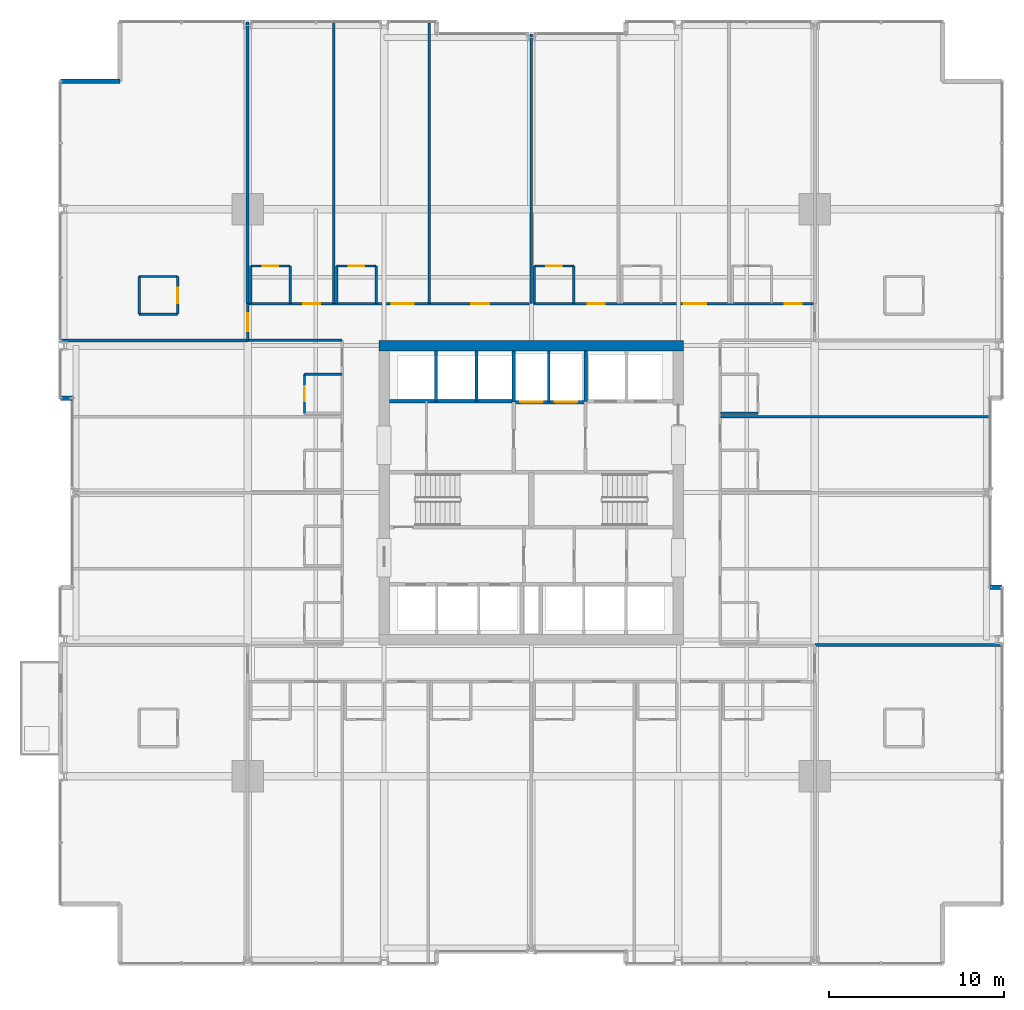
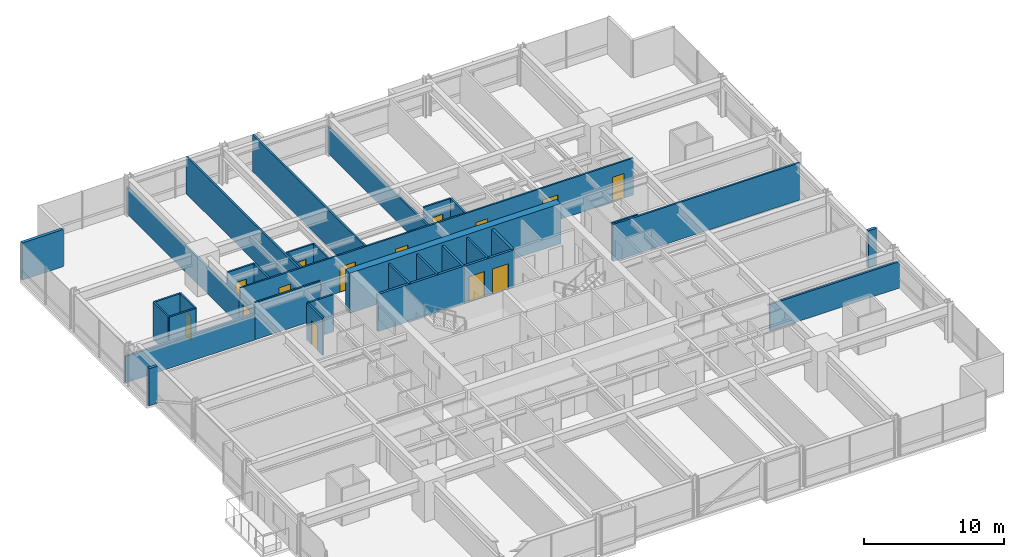
# One storey, part 33 of 39: 37 walls, 14 doors, 14 openings.
"""IFC4 building model written with IfcOpenShell, lengths in metres."""

from ifc_helpers import new_model, si_unit, direction, frame, frame_2d, origin, place, context, subcontext, project, spatial, rectangle, extrude, material, layer, layer_set, type_object, element, fill, save


model = new_model("IFC4")

# Units and contexts
model_context = context("Model", 3, precision=1e-05, world=origin(), true_north=direction((0.0, 1.0)))
body_context = subcontext(model_context, "Body", "Model", "MODEL_VIEW")
ifc_project = project(units=[si_unit("LENGTHUNIT", "METRE"), si_unit("AREAUNIT", "SQUARE_METRE"), si_unit("VOLUMEUNIT", "CUBIC_METRE"), si_unit("PLANEANGLEUNIT", "RADIAN"), si_unit("MASSUNIT", "GRAM", prefix="KILO")], contexts=[model_context])

# Site, building, storey
site_placement = place(None, origin())
site = spatial("IfcSite", under=ifc_project, at=site_placement, CompositionType="ELEMENT")
building_placement = place(site_placement, origin())
building = spatial("IfcBuilding", under=site, at=building_placement, Name="Drelvath Grand Hotel", CompositionType="ELEMENT")
storey_placement = place(building_placement, frame((0.0, 0.0, 36.699951171875)))
storey = spatial("IfcBuildingStorey", under=building, at=storey_placement, Name="L07", CompositionType="ELEMENT", Elevation=36.699951171875)

# Wall
ifc_material_1 = material(Name="Concrete C40/50", Category="concrete")
ifc_layer_1 = layer(ifc_material_1, 0.199951171875)
ifc_layer_set_1 = layer_set([ifc_layer_1], Name="Concrete C40/50")
wall_type_1 = type_object("IfcWallType", Name="Core Hoistway Fire Wall 200", PredefinedType="SOLIDWALL", material=ifc_layer_set_1)
wall_1_placement = place(storey_placement, frame((3.10009765625, 32.219970703125, 0.0), z_axis=(0.0, 0.0, 1.0), x_axis=(0.0, 1.0, 0.0)))
element("IfcWall", 1, at=wall_1_placement, inside=storey, type_object=wall_type_1, Name="L07 FSAE Hoistway West Wall", PredefinedType="SOLIDWALL", context=body_context, shape_type="SweptSolid", body=[
    extrude(rectangle(XDim=2.880126953125, YDim=0.199951171875, at=frame_2d((1.43994140625, 0.0))), origin(), (0.0, 0.0, 1.0), 3.239990234375),
])

# Wall, openings, doors
wall_2_placement = place(storey_placement, frame((-1.0, 32.179931640625, 0.0), z_axis=(0.0, 0.0, 1.0), x_axis=(1.0, 0.0, 0.0)))
wall_2 = element("IfcWall", 2, at=wall_2_placement, inside=storey, type_object=wall_type_1, Name="L07 Service Lift Hoistway Wall", PredefinedType="SOLIDWALL", context=body_context, shape_type="SweptSolid", body=[
    extrude(rectangle(XDim=4.10009765625, YDim=0.199951171875, at=frame_2d((2.050048828125, 0.0))), origin(), (0.0, 0.0, 1.0), 3.239990234375),
])
opening_1_placement = place(wall_2_placement, frame((0.3701171875, 0.0, 0.0)))
opening_1 = element("IfcOpeningElement", 3, at=opening_1_placement, cuts=wall_2, Name="Opening LD-SV-2", PredefinedType="OPENING", context=body_context, shape_type="SweptSolid", body=[
    extrude(rectangle(XDim=1.300048828125, YDim=2.199951171875, at=frame_2d((0.64990234375, 1.10009765625))), frame((0.0, 0.10986328125, 0.0), z_axis=(0.0, -1.0, 0.0), x_axis=(1.0, 0.0, 0.0)), (0.0, 0.0, 1.0), 0.219970703125),
])
opening_2_placement = place(wall_2_placement, frame((2.330078125, 0.0, 0.0)))
opening_2 = element("IfcOpeningElement", 4, at=opening_2_placement, cuts=wall_2, Name="Opening LD-SV-1", PredefinedType="OPENING", context=body_context, shape_type="SweptSolid", body=[
    extrude(rectangle(XDim=1.300048828125, YDim=2.199951171875, at=frame_2d((0.64990234375, 1.10009765625))), frame((0.0, 0.10986328125, 0.0), z_axis=(0.0, -1.0, 0.0), x_axis=(1.0, 0.0, 0.0)), (0.0, 0.0, 1.0), 0.219970703125),
])
ifc_material_2 = material(Name="Stainless Steel S355", Category="steel")
door_type_1 = type_object("IfcDoorType", Name="Service Lift Sliding Landing Door 1300x2200", OperationType="NOTDEFINED", PredefinedType="DOOR", material=ifc_material_2)
door_1_placement = place(opening_1_placement, origin())
door_1 = element("IfcDoor", 5, at=door_1_placement, inside=storey, type_object=door_type_1, Name="L07 Lift SV-2 Landing Door", OperationType="SLIDING_TO_LEFT", OverallHeight=2.199951171875, OverallWidth=1.300048828125, PredefinedType="DOOR", context=body_context, shape_type="SweptSolid", body=[
    extrude(rectangle(XDim=1.300048828125, YDim=2.199951171875, at=frame_2d((0.64990234375, 1.10009765625))), frame((0.0, 0.02490234375, 0.0), z_axis=(0.0, -1.0, 0.0), x_axis=(1.0, 0.0, 0.0)), (0.0, 0.0, 1.0), 0.050048828125),
])
fill(opening_1, door_1)
door_2_placement = place(opening_2_placement, origin())
door_2 = element("IfcDoor", 6, at=door_2_placement, inside=storey, type_object=door_type_1, Name="L07 Lift SV-1 Landing Door", OperationType="SLIDING_TO_LEFT", OverallHeight=2.199951171875, OverallWidth=1.300048828125, PredefinedType="DOOR", context=body_context, shape_type="SweptSolid", body=[
    extrude(rectangle(XDim=1.300048828125, YDim=2.199951171875, at=frame_2d((0.64990234375, 1.10009765625))), frame((0.0, 0.02490234375, 0.0), z_axis=(0.0, -1.0, 0.0), x_axis=(1.0, 0.0, 0.0)), (0.0, 0.0, 1.0), 0.050048828125),
])
fill(opening_2, door_2)

# Walls
wall_3_placement = place(storey_placement, frame((-1.0, 32.179931640625, 0.0), z_axis=(0.0, 0.0, 1.0), x_axis=(0.0, 1.0, 0.0)))
element("IfcWall", 7, at=wall_3_placement, inside=storey, type_object=wall_type_1, Name="L07 Service Lift West Wall", PredefinedType="SOLIDWALL", context=body_context, shape_type="SweptSolid", body=[
    extrude(rectangle(XDim=2.920166015625, YDim=0.199951171875, at=frame_2d((1.4599609375, 0.0))), origin(), (0.0, 0.0, 1.0), 3.239990234375),
])
wall_4_placement = place(storey_placement, frame((-8.10009765625, 32.219970703125, 0.0), z_axis=(0.0, 0.0, 1.0), x_axis=(1.0, 0.0, 0.0)))
element("IfcWall", 8, at=wall_4_placement, inside=storey, type_object=wall_type_1, Name="L07 Bank 3 Hoistway Wall", PredefinedType="SOLIDWALL", context=body_context, shape_type="SweptSolid", body=[
    extrude(rectangle(XDim=7.10009765625, YDim=0.199951171875, at=frame_2d((3.550048828125, 0.0))), origin(), (0.0, 0.0, 1.0), 3.239990234375),
])
ifc_material_3 = material(Name="Gypsum Fireboard Partition")
ifc_layer_2 = layer(ifc_material_3, 0.1650390625)
ifc_layer_set_2 = layer_set([ifc_layer_2], Name="Gypsum Fireboard Partition")
wall_type_2 = type_object("IfcWallType", Name="Core Shaft Partition 165", PredefinedType="PARTITIONING", material=ifc_layer_set_2)
wall_5_placement = place(storey_placement, frame((1.0, 32.179931640625, 0.0), z_axis=(0.0, 0.0, 1.0), x_axis=(0.0, 1.0, 0.0)))
element("IfcWall", 9, at=wall_5_placement, inside=storey, type_object=wall_type_2, Name="L07 Service Lift Divider", PredefinedType="PARTITIONING", context=body_context, shape_type="SweptSolid", body=[
    extrude(rectangle(XDim=2.920166015625, YDim=0.1650390625, at=frame_2d((1.4599609375, 0.0))), origin(), (0.0, 0.0, 1.0), 3.239990234375),
])
for number, where, z_axis, x_axis, name in (
    (10, (-5.43994140625, 32.219970703125, 0.0), (0.0, 0.0, 1.0), (0.0, 1.0, 0.0), "L07 Lift PE-7/8 Divider"),
    (11, (-3.1201171875, 32.219970703125, 0.0), (0.0, 0.0, 1.0), (0.0, 1.0, 0.0), "L07 Lift PE-8/9 Divider"),
):
    element("IfcWall", number, at=place(storey_placement, frame(where, z_axis=z_axis, x_axis=x_axis)), inside=storey, type_object=wall_type_2, Name=name, PredefinedType="PARTITIONING", context=body_context, shape_type="SweptSolid", body=[
        extrude(rectangle(XDim=2.880126953125, YDim=0.1650390625, at=frame_2d((1.43994140625, 0.0))), origin(), (0.0, 0.0, 1.0), 3.239990234375),
    ])

# Wall, openings, doors
ifc_layer_3 = layer(ifc_material_3, 0.135009765625)
ifc_layer_set_3 = layer_set([ifc_layer_3], Name="Gypsum Fireboard Partition")
wall_type_3 = type_object("IfcWallType", Name="Corridor Fire Barrier Wall 135", PredefinedType="PARTITIONING", material=ifc_layer_set_3)
wall_6_placement = place(storey_placement, frame((-16.199951171875, 37.800048828125, 0.0), z_axis=(0.0, 0.0, 1.0), x_axis=(1.0, 0.0, 0.0)))
wall_6 = element("IfcWall", 12, at=wall_6_placement, inside=storey, type_object=wall_type_3, Name="L07 North Corridor Wall", PredefinedType="PARTITIONING", context=body_context, shape_type="SweptSolid", body=[
    extrude(rectangle(XDim=32.39990234375, YDim=0.135009765625, at=frame_2d((16.199951171875, 0.0))), origin(), (0.0, 0.0, 1.0), 3.239990234375),
])
opening_3_placement = place(wall_6_placement, frame((3.189453125, 0.0, 0.0)))
opening_3 = element("IfcOpeningElement", 13, at=opening_3_placement, cuts=wall_6, Name="Opening D-T1G1-039", PredefinedType="OPENING", context=body_context, shape_type="SweptSolid", body=[
    extrude(rectangle(XDim=0.9599609375, YDim=2.14990234375, at=frame_2d((0.47998046875, 1.074951171875))), frame((0.0, 0.077392578125, 0.0), z_axis=(0.0, -1.0, 0.0), x_axis=(1.0, 0.0, 0.0)), (0.0, 0.0, 1.0), 0.155029296875),
])
opening_4_placement = place(wall_6_placement, frame((8.2294921875, 0.0, 0.0)))
opening_4 = element("IfcOpeningElement", 14, at=opening_4_placement, cuts=wall_6, Name="Opening D-T1G1-041", PredefinedType="OPENING", context=body_context, shape_type="SweptSolid", body=[
    extrude(rectangle(XDim=1.260009765625, YDim=2.199951171875, at=frame_2d((0.6298828125, 1.10009765625))), frame((0.0, 0.077392578125, 0.0), z_axis=(0.0, -1.0, 0.0), x_axis=(1.0, 0.0, 0.0)), (0.0, 0.0, 1.0), 0.155029296875),
])
opening_5_placement = place(wall_6_placement, frame((12.780029296875, 0.0, 0.0)))
opening_5 = element("IfcOpeningElement", 15, at=opening_5_placement, cuts=wall_6, Name="Opening D-T1G1-042", PredefinedType="OPENING", context=body_context, shape_type="SweptSolid", body=[
    extrude(rectangle(XDim=1.02001953125, YDim=2.14990234375, at=frame_2d((0.510009765625, 1.074951171875))), frame((0.0, 0.077392578125, 0.0), z_axis=(0.0, -1.0, 0.0), x_axis=(1.0, 0.0, 0.0)), (0.0, 0.0, 1.0), 0.155029296875),
])
opening_6_placement = place(wall_6_placement, frame((19.425048828125, 0.0, 0.0)))
opening_6 = element("IfcOpeningElement", 16, at=opening_6_placement, cuts=wall_6, Name="Opening D-T1G1-044", PredefinedType="OPENING", context=body_context, shape_type="SweptSolid", body=[
    extrude(rectangle(XDim=0.9599609375, YDim=2.14990234375, at=frame_2d((0.47998046875, 1.074951171875))), frame((0.0, 0.077392578125, 0.0), z_axis=(0.0, -1.0, 0.0), x_axis=(1.0, 0.0, 0.0)), (0.0, 0.0, 1.0), 0.155029296875),
])
opening_7_placement = place(wall_6_placement, frame((24.92041015625, 0.0, 0.0)))
opening_7 = element("IfcOpeningElement", 17, at=opening_7_placement, cuts=wall_6, Name="Opening D-T1G1-046", PredefinedType="OPENING", context=body_context, shape_type="SweptSolid", body=[
    extrude(rectangle(XDim=1.260009765625, YDim=2.199951171875, at=frame_2d((0.6298828125, 1.10009765625))), frame((0.0, 0.077392578125, 0.0), z_axis=(0.0, -1.0, 0.0), x_axis=(1.0, 0.0, 0.0)), (0.0, 0.0, 1.0), 0.155029296875),
])
opening_8_placement = place(wall_6_placement, frame((30.680419921875, 0.0, 0.0)))
opening_8 = element("IfcOpeningElement", 18, at=opening_8_placement, cuts=wall_6, Name="Opening D-T1G1-048", PredefinedType="OPENING", context=body_context, shape_type="SweptSolid", body=[
    extrude(rectangle(XDim=0.9599609375, YDim=2.14990234375, at=frame_2d((0.47998046875, 1.074951171875))), frame((0.0, 0.077392578125, 0.0), z_axis=(0.0, -1.0, 0.0), x_axis=(1.0, 0.0, 0.0)), (0.0, 0.0, 1.0), 0.155029296875),
])
ifc_material_4 = material(Name="Hardwood Walnut Timber", Category="wood")
door_type_2 = type_object("IfcDoorType", Name="Amenity Meeting Fire Door 1020x2150", OperationType="NOTDEFINED", PredefinedType="DOOR", material=ifc_material_4)
door_3_placement = place(opening_5_placement, origin())
door_3 = element("IfcDoor", 19, at=door_3_placement, inside=storey, type_object=door_type_2, Name="L07 Executive Conference Room Entry Door", OperationType="SINGLE_SWING_LEFT", OverallHeight=2.14990234375, OverallWidth=1.02001953125, PredefinedType="DOOR", context=body_context, shape_type="SweptSolid", body=[
    extrude(rectangle(XDim=1.02001953125, YDim=2.14990234375, at=frame_2d((0.510009765625, 1.074951171875))), frame((0.0, 0.02490234375, 0.0), z_axis=(0.0, -1.0, 0.0), x_axis=(1.0, 0.0, 0.0)), (0.0, 0.0, 1.0), 0.050048828125),
])
fill(opening_5, door_3)
door_type_3 = type_object("IfcDoorType", Name="Guestroom Entrance Fire Door 960x2150", OperationType="NOTDEFINED", PredefinedType="DOOR", material=ifc_material_4)
door_4_placement = place(opening_3_placement, origin())
door_4 = element("IfcDoor", 20, at=door_4_placement, inside=storey, type_object=door_type_3, Name="L07 King Guest Room Entry Door", OperationType="SINGLE_SWING_RIGHT", OverallHeight=2.14990234375, OverallWidth=0.9599609375, PredefinedType="DOOR", context=body_context, shape_type="SweptSolid", body=[
    extrude(rectangle(XDim=0.9599609375, YDim=2.14990234375, at=frame_2d((0.47998046875, 1.074951171875))), frame((0.0, 0.02490234375, 0.0), z_axis=(0.0, -1.0, 0.0), x_axis=(1.0, 0.0, 0.0)), (0.0, 0.0, 1.0), 0.050048828125),
])
fill(opening_3, door_4)
door_5_placement = place(opening_6_placement, origin())
door_5 = element("IfcDoor", 21, at=door_5_placement, inside=storey, type_object=door_type_3, Name="L07 King Guest Room Entry Door", OperationType="SINGLE_SWING_LEFT", OverallHeight=2.14990234375, OverallWidth=0.9599609375, PredefinedType="DOOR", context=body_context, shape_type="SweptSolid", body=[
    extrude(rectangle(XDim=0.9599609375, YDim=2.14990234375, at=frame_2d((0.47998046875, 1.074951171875))), frame((0.0, 0.02490234375, 0.0), z_axis=(0.0, -1.0, 0.0), x_axis=(1.0, 0.0, 0.0)), (0.0, 0.0, 1.0), 0.050048828125),
])
fill(opening_6, door_5)
door_6_placement = place(opening_8_placement, origin())
door_6 = element("IfcDoor", 22, at=door_6_placement, inside=storey, type_object=door_type_3, Name="L07 King Guest Room Entry Door", OperationType="SINGLE_SWING_LEFT", OverallHeight=2.14990234375, OverallWidth=0.9599609375, PredefinedType="DOOR", context=body_context, shape_type="SweptSolid", body=[
    extrude(rectangle(XDim=0.9599609375, YDim=2.14990234375, at=frame_2d((0.47998046875, 1.074951171875))), frame((0.0, 0.02490234375, 0.0), z_axis=(0.0, -1.0, 0.0), x_axis=(1.0, 0.0, 0.0)), (0.0, 0.0, 1.0), 0.050048828125),
])
fill(opening_8, door_6)
door_type_4 = type_object("IfcDoorType", Name="Suite Entrance Fire Door 1260x2200", OperationType="NOTDEFINED", PredefinedType="DOOR", material=ifc_material_4)
door_7_placement = place(opening_4_placement, origin())
door_7 = element("IfcDoor", 23, at=door_7_placement, inside=storey, type_object=door_type_4, Name="L07 Corner Suite Entry Door", OperationType="SINGLE_SWING_RIGHT", OverallHeight=2.199951171875, OverallWidth=1.260009765625, PredefinedType="DOOR", context=body_context, shape_type="SweptSolid", body=[
    extrude(rectangle(XDim=1.260009765625, YDim=2.199951171875, at=frame_2d((0.6298828125, 1.10009765625))), frame((0.0, 0.02490234375, 0.0), z_axis=(0.0, -1.0, 0.0), x_axis=(1.0, 0.0, 0.0)), (0.0, 0.0, 1.0), 0.050048828125),
])
fill(opening_4, door_7)
door_8_placement = place(opening_7_placement, origin())
door_8 = element("IfcDoor", 24, at=door_8_placement, inside=storey, type_object=door_type_4, Name="L07 Corner Suite Entry Door", OperationType="SINGLE_SWING_LEFT", OverallHeight=2.199951171875, OverallWidth=1.260009765625, PredefinedType="DOOR", context=body_context, shape_type="SweptSolid", body=[
    extrude(rectangle(XDim=1.260009765625, YDim=2.199951171875, at=frame_2d((0.6298828125, 1.10009765625))), frame((0.0, 0.02490234375, 0.0), z_axis=(0.0, -1.0, 0.0), x_axis=(1.0, 0.0, 0.0)), (0.0, 0.0, 1.0), 0.050048828125),
])
fill(opening_7, door_8)

# Wall
wall_7_placement = place(storey_placement, frame((-16.199951171875, 35.699951171875, 0.0), z_axis=(0.0, 0.0, 1.0), x_axis=(1.0, 0.0, 0.0)))
element("IfcWall", 25, at=wall_7_placement, inside=storey, type_object=wall_type_3, Name="L07 NW Spur Inner Wall", PredefinedType="PARTITIONING", context=body_context, shape_type="SweptSolid", body=[
    extrude(rectangle(XDim=5.39990234375, YDim=0.135009765625, at=frame_2d((2.699951171875, 0.0))), origin(), (0.0, 0.0, 1.0), 3.239990234375),
])

# Wall, opening, door
wall_8_placement = place(storey_placement, frame((-16.199951171875, 35.699951171875, 0.0), z_axis=(0.0, 0.0, 1.0), x_axis=(0.0, 1.0, 0.0)))
wall_8 = element("IfcWall", 26, at=wall_8_placement, inside=storey, type_object=wall_type_3, Name="L07 North Corridor West End", PredefinedType="PARTITIONING", context=body_context, shape_type="SweptSolid", body=[
    extrude(rectangle(XDim=2.10009765625, YDim=0.135009765625, at=frame_2d((1.050048828125, 0.0))), origin(), (0.0, 0.0, 1.0), 2.29833984375),
])
opening_9_placement = place(wall_8_placement, frame((0.52001953125, 0.0, 0.0)))
opening_9 = element("IfcOpeningElement", 27, at=opening_9_placement, cuts=wall_8, Name="Opening D-T1G1-023", PredefinedType="OPENING", context=body_context, shape_type="SweptSolid", body=[
    extrude(rectangle(XDim=1.02001953125, YDim=2.14990234375, at=frame_2d((0.510009765625, 1.074951171875))), frame((0.0, 0.077392578125, 0.0), z_axis=(0.0, -1.0, 0.0), x_axis=(1.0, 0.0, 0.0)), (0.0, 0.0, 1.0), 0.155029296875),
])
door_9_placement = place(opening_9_placement, origin())
door_9 = element("IfcDoor", 28, at=door_9_placement, inside=storey, type_object=door_type_2, Name="L07 Corner Suite Entry Door", OperationType="SINGLE_SWING_RIGHT", OverallHeight=2.14990234375, OverallWidth=1.02001953125, PredefinedType="DOOR", context=body_context, shape_type="SweptSolid", body=[
    extrude(rectangle(XDim=1.02001953125, YDim=2.14990234375, at=frame_2d((0.510009765625, 1.074951171875))), frame((0.0, 0.02490234375, 0.0), z_axis=(0.0, -1.0, 0.0), x_axis=(1.0, 0.0, 0.0)), (0.0, 0.0, 1.0), 0.050048828125),
])
fill(opening_9, door_9)

# Walls
ifc_material_5 = material(Name="Moisture-Resistant Gypsum Board")
ifc_layer_4 = layer(ifc_material_5, 0.139892578125)
ifc_layer_set_4 = layer_set([ifc_layer_4], Name="Moisture-Resistant Gypsum Board")
wall_type_4 = type_object("IfcWallType", Name="En-Suite Plumbing Wall 140", PredefinedType="PLUMBINGWALL", material=ifc_layer_set_4)
for number, where, z_axis, x_axis, name in (
    (29, (-22.39990234375, 37.199951171875, 0.0), (0.0, 0.0, 1.0), (1.0, 0.0, 0.0), "L07 Corner En-Suite South"),
    (30, (-22.39990234375, 39.35009765625, 0.0), (0.0, 0.0, 1.0), (1.0, 0.0, 0.0), "L07 Corner En-Suite North"),
):
    element("IfcWall", number, at=place(storey_placement, frame(where, z_axis=z_axis, x_axis=x_axis)), inside=storey, type_object=wall_type_4, Name=name, PredefinedType="PLUMBINGWALL", context=body_context, shape_type="SweptSolid", body=[
        extrude(rectangle(XDim=2.199951171875, YDim=0.139892578125, at=frame_2d((1.10009765625, 0.0))), origin(), (0.0, 0.0, 1.0), 3.239990234375),
    ])
wall_9_placement = place(storey_placement, frame((-22.39990234375, 37.199951171875, 0.0), z_axis=(0.0, 0.0, 1.0), x_axis=(0.0, 1.0, 0.0)))
element("IfcWall", 31, at=wall_9_placement, inside=storey, type_object=wall_type_4, Name="L07 Corner En-Suite West", PredefinedType="PLUMBINGWALL", context=body_context, shape_type="SweptSolid", body=[
    extrude(rectangle(XDim=2.150146484375, YDim=0.139892578125, at=frame_2d((1.0751953125, 0.0))), origin(), (0.0, 0.0, 1.0), 3.239990234375),
])

# Wall, opening, door
wall_10_placement = place(storey_placement, frame((-20.199951171875, 37.199951171875, 0.0), z_axis=(0.0, 0.0, 1.0), x_axis=(0.0, 1.0, 0.0)))
wall_10 = element("IfcWall", 32, at=wall_10_placement, inside=storey, type_object=wall_type_4, Name="L07 Corner En-Suite East", PredefinedType="PLUMBINGWALL", context=body_context, shape_type="SweptSolid", body=[
    extrude(rectangle(XDim=2.150146484375, YDim=0.139892578125, at=frame_2d((1.0751953125, 0.0))), origin(), (0.0, 0.0, 1.0), 3.239990234375),
])
opening_10_placement = place(wall_10_placement, frame((0.6201171875, 0.0, 0.0)))
opening_10 = element("IfcOpeningElement", 33, at=opening_10_placement, cuts=wall_10, Name="Opening D-T1G1-022", PredefinedType="OPENING", context=body_context, shape_type="SweptSolid", body=[
    extrude(rectangle(XDim=0.8798828125, YDim=2.10009765625, at=frame_2d((0.43994140625, 1.050048828125))), frame((0.0, 0.079833984375, 0.0), z_axis=(0.0, -1.0, 0.0), x_axis=(1.0, 0.0, 0.0)), (0.0, 0.0, 1.0), 0.159912109375),
])
door_type_5 = type_object("IfcDoorType", Name="En-Suite Bathroom Door 880x2100", OperationType="NOTDEFINED", PredefinedType="DOOR", material=ifc_material_4)
door_10_placement = place(opening_10_placement, origin())
door_10 = element("IfcDoor", 34, at=door_10_placement, inside=storey, type_object=door_type_5, Name="L07 Corner En-Suite Door", OperationType="SINGLE_SWING_LEFT", OverallHeight=2.10009765625, OverallWidth=0.8798828125, PredefinedType="DOOR", context=body_context, shape_type="SweptSolid", body=[
    extrude(rectangle(XDim=0.8798828125, YDim=2.10009765625, at=frame_2d((0.43994140625, 1.050048828125))), frame((0.0, 0.02490234375, 0.0), z_axis=(0.0, -1.0, 0.0), x_axis=(1.0, 0.0, 0.0)), (0.0, 0.0, 1.0), 0.050048828125),
])
fill(opening_10, door_10)

# Walls
wall_11_placement = place(storey_placement, frame((-16.02001953125, 37.800048828125, 0.0), z_axis=(0.0, 0.0, 1.0), x_axis=(0.0, 1.0, 0.0)))
element("IfcWall", 35, at=wall_11_placement, inside=storey, type_object=wall_type_4, Name="L07 En-Suite Left Wall", PredefinedType="PLUMBINGWALL", context=body_context, shape_type="SweptSolid", body=[
    extrude(rectangle(XDim=2.14990234375, YDim=0.139892578125, at=frame_2d((1.074951171875, 0.0))), origin(), (0.0, 0.0, 1.0), 2.29833984375),
])
wall_12_placement = place(storey_placement, frame((-13.77001953125, 37.800048828125, 0.0), z_axis=(0.0, 0.0, 1.0), x_axis=(0.0, 1.0, 0.0)))
element("IfcWall", 36, at=wall_12_placement, inside=storey, type_object=wall_type_4, Name="L07 En-Suite Right Wall", PredefinedType="PLUMBINGWALL", context=body_context, shape_type="SweptSolid", body=[
    extrude(rectangle(XDim=2.14990234375, YDim=0.139892578125, at=frame_2d((1.074951171875, 0.0))), origin(), (0.0, 0.0, 1.0), 3.239990234375),
])

# Wall, opening, door
wall_13_placement = place(storey_placement, frame((-16.02001953125, 39.949951171875, 0.0), z_axis=(0.0, 0.0, 1.0), x_axis=(1.0, 0.0, 0.0)))
wall_13 = element("IfcWall", 37, at=wall_13_placement, inside=storey, type_object=wall_type_4, Name="L07 En-Suite Front Wall", PredefinedType="PLUMBINGWALL", context=body_context, shape_type="SweptSolid", body=[
    extrude(rectangle(XDim=2.25, YDim=0.139892578125, at=frame_2d((1.125, 0.0))), origin(), (0.0, 0.0, 1.0), 3.239990234375),
])
opening_11_placement = place(wall_13_placement, frame((0.68505859375, 0.0, 0.0)))
opening_11 = element("IfcOpeningElement", 38, at=opening_11_placement, cuts=wall_13, Name="Opening D-T1G1-038", PredefinedType="OPENING", context=body_context, shape_type="SweptSolid", body=[
    extrude(rectangle(XDim=0.8798828125, YDim=2.10009765625, at=frame_2d((0.43994140625, 1.050048828125))), frame((0.0, 0.079833984375, 0.0), z_axis=(0.0, -1.0, 0.0), x_axis=(1.0, 0.0, 0.0)), (0.0, 0.0, 1.0), 0.159912109375),
])
door_11_placement = place(opening_11_placement, origin())
door_11 = element("IfcDoor", 39, at=door_11_placement, inside=storey, type_object=door_type_5, Name="L07 En-Suite Bathroom Door", OperationType="SINGLE_SWING_LEFT", OverallHeight=2.10009765625, OverallWidth=0.8798828125, PredefinedType="DOOR", context=body_context, shape_type="SweptSolid", body=[
    extrude(rectangle(XDim=0.8798828125, YDim=2.10009765625, at=frame_2d((0.43994140625, 1.050048828125))), frame((0.0, 0.02490234375, 0.0), z_axis=(0.0, -1.0, 0.0), x_axis=(1.0, 0.0, 0.0)), (0.0, 0.0, 1.0), 0.050048828125),
])
fill(opening_11, door_11)

# Walls
for number, where, z_axis, x_axis, name in (
    (40, (-11.11083984375, 37.800048828125, 0.0), (0.0, 0.0, 1.0), (0.0, 1.0, 0.0), "L07 En-Suite Left Wall"),
    (41, (-8.86083984375, 37.800048828125, 0.0), (0.0, 0.0, 1.0), (0.0, 1.0, 0.0), "L07 En-Suite Right Wall"),
):
    element("IfcWall", number, at=place(storey_placement, frame(where, z_axis=z_axis, x_axis=x_axis)), inside=storey, type_object=wall_type_4, Name=name, PredefinedType="PLUMBINGWALL", context=body_context, shape_type="SweptSolid", body=[
        extrude(rectangle(XDim=2.14990234375, YDim=0.139892578125, at=frame_2d((1.074951171875, 0.0))), origin(), (0.0, 0.0, 1.0), 3.239990234375),
    ])

# Wall, opening, door
wall_14_placement = place(storey_placement, frame((-11.11083984375, 39.949951171875, 0.0), z_axis=(0.0, 0.0, 1.0), x_axis=(1.0, 0.0, 0.0)))
wall_14 = element("IfcWall", 42, at=wall_14_placement, inside=storey, type_object=wall_type_4, Name="L07 En-Suite Front Wall", PredefinedType="PLUMBINGWALL", context=body_context, shape_type="SweptSolid", body=[
    extrude(rectangle(XDim=2.25, YDim=0.139892578125, at=frame_2d((1.125, 0.0))), origin(), (0.0, 0.0, 1.0), 3.239990234375),
])
opening_12_placement = place(wall_14_placement, frame((0.68505859375, 0.0, 0.0)))
opening_12 = element("IfcOpeningElement", 43, at=opening_12_placement, cuts=wall_14, Name="Opening D-T1G1-040", PredefinedType="OPENING", context=body_context, shape_type="SweptSolid", body=[
    extrude(rectangle(XDim=0.8798828125, YDim=2.10009765625, at=frame_2d((0.43994140625, 1.050048828125))), frame((0.0, 0.079833984375, 0.0), z_axis=(0.0, -1.0, 0.0), x_axis=(1.0, 0.0, 0.0)), (0.0, 0.0, 1.0), 0.159912109375),
])
door_12_placement = place(opening_12_placement, origin())
door_12 = element("IfcDoor", 44, at=door_12_placement, inside=storey, type_object=door_type_5, Name="L07 En-Suite Bathroom Door", OperationType="SINGLE_SWING_LEFT", OverallHeight=2.10009765625, OverallWidth=0.8798828125, PredefinedType="DOOR", context=body_context, shape_type="SweptSolid", body=[
    extrude(rectangle(XDim=0.8798828125, YDim=2.10009765625, at=frame_2d((0.43994140625, 1.050048828125))), frame((0.0, 0.02490234375, 0.0), z_axis=(0.0, -1.0, 0.0), x_axis=(1.0, 0.0, 0.0)), (0.0, 0.0, 1.0), 0.050048828125),
])
fill(opening_12, door_12)

# Walls
wall_15_placement = place(storey_placement, frame((0.179931640625, 37.800048828125, 0.0), z_axis=(0.0, 0.0, 1.0), x_axis=(0.0, 1.0, 0.0)))
element("IfcWall", 45, at=wall_15_placement, inside=storey, type_object=wall_type_4, Name="L07 En-Suite Left Wall", PredefinedType="PLUMBINGWALL", context=body_context, shape_type="SweptSolid", body=[
    extrude(rectangle(XDim=2.14990234375, YDim=0.139892578125, at=frame_2d((1.074951171875, 0.0))), origin(), (0.0, 0.0, 1.0), 2.617431640625),
])
wall_16_placement = place(storey_placement, frame((2.429931640625, 37.800048828125, 0.0), z_axis=(0.0, 0.0, 1.0), x_axis=(0.0, 1.0, 0.0)))
element("IfcWall", 46, at=wall_16_placement, inside=storey, type_object=wall_type_4, Name="L07 En-Suite Right Wall", PredefinedType="PLUMBINGWALL", context=body_context, shape_type="SweptSolid", body=[
    extrude(rectangle(XDim=2.14990234375, YDim=0.139892578125, at=frame_2d((1.074951171875, 0.0))), origin(), (0.0, 0.0, 1.0), 3.239990234375),
])

# Wall, opening, door
wall_17_placement = place(storey_placement, frame((0.179931640625, 39.949951171875, 0.0), z_axis=(0.0, 0.0, 1.0), x_axis=(1.0, 0.0, 0.0)))
wall_17 = element("IfcWall", 47, at=wall_17_placement, inside=storey, type_object=wall_type_4, Name="L07 En-Suite Front Wall", PredefinedType="PLUMBINGWALL", context=body_context, shape_type="SweptSolid", body=[
    extrude(rectangle(XDim=2.25, YDim=0.139892578125, at=frame_2d((1.125, 0.0))), origin(), (0.0, 0.0, 1.0), 3.239990234375),
])
opening_13_placement = place(wall_17_placement, frame((0.68505859375, 0.0, 0.0)))
opening_13 = element("IfcOpeningElement", 48, at=opening_13_placement, cuts=wall_17, Name="Opening D-T1G1-043", PredefinedType="OPENING", context=body_context, shape_type="SweptSolid", body=[
    extrude(rectangle(XDim=0.8798828125, YDim=2.10009765625, at=frame_2d((0.43994140625, 1.050048828125))), frame((0.0, 0.079833984375, 0.0), z_axis=(0.0, -1.0, 0.0), x_axis=(1.0, 0.0, 0.0)), (0.0, 0.0, 1.0), 0.159912109375),
])
door_13_placement = place(opening_13_placement, origin())
door_13 = element("IfcDoor", 49, at=door_13_placement, inside=storey, type_object=door_type_5, Name="L07 En-Suite Bathroom Door", OperationType="SINGLE_SWING_RIGHT", OverallHeight=2.10009765625, OverallWidth=0.8798828125, PredefinedType="DOOR", context=body_context, shape_type="SweptSolid", body=[
    extrude(rectangle(XDim=0.8798828125, YDim=2.10009765625, at=frame_2d((0.43994140625, 1.050048828125))), frame((0.0, 0.02490234375, 0.0), z_axis=(0.0, -1.0, 0.0), x_axis=(1.0, 0.0, 0.0)), (0.0, 0.0, 1.0), 0.050048828125),
])
fill(opening_13, door_13)

# Wall
wall_18_placement = place(storey_placement, frame((-10.800048828125, 33.780029296875, 0.0), z_axis=(0.0, 0.0, 1.0), x_axis=(-1.0, 0.0, 0.0)))
element("IfcWall", 50, at=wall_18_placement, inside=storey, type_object=wall_type_4, Name="L07 En-Suite Right Wall", PredefinedType="PLUMBINGWALL", context=body_context, shape_type="SweptSolid", body=[
    extrude(rectangle(XDim=2.14990234375, YDim=0.139892578125, at=frame_2d((1.074951171875, 0.0))), origin(), (0.0, 0.0, 1.0), 3.239990234375),
])

# Wall, opening, door
wall_19_placement = place(storey_placement, frame((-12.949951171875, 31.530029296875, 0.0), z_axis=(0.0, 0.0, 1.0), x_axis=(0.0, 1.0, 0.0)))
wall_19 = element("IfcWall", 51, at=wall_19_placement, inside=storey, type_object=wall_type_4, Name="L07 En-Suite Front Wall", PredefinedType="PLUMBINGWALL", context=body_context, shape_type="SweptSolid", body=[
    extrude(rectangle(XDim=2.25, YDim=0.139892578125, at=frame_2d((1.125, 0.0))), origin(), (0.0, 0.0, 1.0), 3.239990234375),
])
opening_14_placement = place(wall_19_placement, frame((0.68505859375, 0.0, 0.0)))
opening_14 = element("IfcOpeningElement", 52, at=opening_14_placement, cuts=wall_19, Name="Opening D-T1G1-055", PredefinedType="OPENING", context=body_context, shape_type="SweptSolid", body=[
    extrude(rectangle(XDim=0.8798828125, YDim=2.10009765625, at=frame_2d((0.43994140625, 1.050048828125))), frame((0.0, 0.079833984375, 0.0), z_axis=(0.0, -1.0, 0.0), x_axis=(1.0, 0.0, 0.0)), (0.0, 0.0, 1.0), 0.159912109375),
])
door_14_placement = place(opening_14_placement, origin())
door_14 = element("IfcDoor", 53, at=door_14_placement, inside=storey, type_object=door_type_5, Name="L07 En-Suite Bathroom Door", OperationType="SINGLE_SWING_RIGHT", OverallHeight=2.10009765625, OverallWidth=0.8798828125, PredefinedType="DOOR", context=body_context, shape_type="SweptSolid", body=[
    extrude(rectangle(XDim=0.8798828125, YDim=2.10009765625, at=frame_2d((0.43994140625, 1.050048828125))), frame((0.0, 0.02490234375, 0.0), z_axis=(0.0, -1.0, 0.0), x_axis=(1.0, 0.0, 0.0)), (0.0, 0.0, 1.0), 0.050048828125),
])
fill(opening_14, door_14)

# Walls
wall_20_placement = place(storey_placement, frame((10.800048828125, 31.530029296875, 0.0), z_axis=(0.0, 0.0, 1.0), x_axis=(1.0, 0.0, 0.0)))
element("IfcWall", 54, at=wall_20_placement, inside=storey, type_object=wall_type_4, Name="L07 En-Suite Left Wall", PredefinedType="PLUMBINGWALL", context=body_context, shape_type="SweptSolid", body=[
    extrude(rectangle(XDim=2.14990234375, YDim=0.139892578125, at=frame_2d((1.074951171875, 0.0))), origin(), (0.0, 0.0, 1.0), 3.239990234375),
])
ifc_material_6 = material(Name="Gypsum Acoustic Partition")
ifc_layer_5 = layer(ifc_material_6, 0.14990234375)
ifc_layer_set_5 = layer_set([ifc_layer_5], Name="Gypsum Acoustic Partition")
wall_type_5 = type_object("IfcWallType", Name="Guestroom Demising Wall 150", PredefinedType="PARTITIONING", material=ifc_layer_set_5)
for number, where, z_axis, x_axis, name in (
    (55, (-11.291015625, 37.800048828125, 0.0), (0.0, 0.0, 1.0), (0.0, 1.0, 0.0), "L07 North Demising 1"),
    (56, (-5.820068359375, 37.800048828125, 0.0), (0.0, 0.0, 1.0), (0.0, 1.0, 0.0), "L07 North Demising 2"),
):
    element("IfcWall", number, at=place(storey_placement, frame(where, z_axis=z_axis, x_axis=x_axis)), inside=storey, type_object=wall_type_5, Name=name, PredefinedType="PARTITIONING", context=body_context, shape_type="SweptSolid", body=[
        extrude(rectangle(XDim=16.079833984375, YDim=0.14990234375, at=frame_2d((8.0400390625, 0.0))), origin(), (0.0, 0.0, 1.0), 3.239990234375),
    ])
wall_21_placement = place(storey_placement, frame((0.0, 37.800048828125, 0.0), z_axis=(0.0, 0.0, 1.0), x_axis=(0.0, 1.0, 0.0)))
element("IfcWall", 57, at=wall_21_placement, inside=storey, type_object=wall_type_5, Name="L07 North Demising 3", PredefinedType="PARTITIONING", context=body_context, shape_type="SweptSolid", body=[
    extrude(rectangle(XDim=15.39990234375, YDim=0.14990234375, at=frame_2d((7.699951171875, 0.0))), origin(), (0.0, 0.0, 1.0), 2.29833984375),
])
wall_22_placement = place(storey_placement, frame((10.800048828125, 31.35009765625, 0.0), z_axis=(0.0, 0.0, 1.0), x_axis=(1.0, 0.0, 0.0)))
element("IfcWall", 58, at=wall_22_placement, inside=storey, type_object=wall_type_5, Name="L07 East Demising 3", PredefinedType="PARTITIONING", context=body_context, shape_type="SweptSolid", body=[
    extrude(rectangle(XDim=15.39990234375, YDim=0.14990234375, at=frame_2d((7.699951171875, 0.0))), origin(), (0.0, 0.0, 1.0), 3.239990234375),
])
ifc_material_7 = material(Name="Concrete f'c 70 MPa", Category="concrete")
ifc_layer_6 = layer(ifc_material_7, 0.60009765625)
ifc_layer_set_6 = layer_set([ifc_layer_6], Name="Concrete f'c 70 MPa")
wall_type_6 = type_object("IfcWallType", Name="Lower Core RC Shear Wall 600", PredefinedType="SHEAR", material=ifc_layer_set_6)
wall_23_placement = place(storey_placement, frame((-8.699951171875, 35.39990234375, 0.0), z_axis=(0.0, 0.0, 1.0), x_axis=(1.0, 0.0, 0.0)))
element("IfcWall", 59, at=wall_23_placement, inside=storey, type_object=wall_type_6, Name="L07 Central Core Shear Wall N", PredefinedType="SHEAR", context=body_context, shape_type="SweptSolid", body=[
    extrude(rectangle(XDim=17.39990234375, YDim=0.60009765625, at=frame_2d((8.699951171875, 0.0))), origin(), (0.0, 0.0, 1.0), 3.5),
])
ifc_layer_7 = layer(ifc_material_6, 0.1650390625)
ifc_layer_set_7 = layer_set([ifc_layer_7], Name="Gypsum Acoustic Partition")
wall_type_7 = type_object("IfcWallType", Name="Suite Demising Wall 165", PredefinedType="PARTITIONING", material=ifc_layer_set_7)
wall_24_placement = place(storey_placement, frame((-16.199951171875, 37.800048828125, 0.0), z_axis=(0.0, 0.0, 1.0), x_axis=(0.0, 1.0, 0.0)))
element("IfcWall", 60, at=wall_24_placement, inside=storey, type_object=wall_type_7, Name="L07 NW Wing Boundary Wall", PredefinedType="PARTITIONING", context=body_context, shape_type="SweptSolid", body=[
    extrude(rectangle(XDim=16.079833984375, YDim=0.1650390625, at=frame_2d((8.0400390625, 0.0))), origin(), (0.0, 0.0, 1.0), 2.29833984375),
])
for number, where, z_axis, x_axis, name in (
    (61, (16.199951171875, 18.300048828125, 0.0), (0.0, 0.0, 1.0), (1.0, 0.0, 0.0), "L07 SE Corner North Wall"),
    (62, (-26.8798828125, 35.699951171875, 0.0), (0.0, 0.0, 1.0), (1.0, 0.0, 0.0), "L07 NW Corner South Wall"),
):
    element("IfcWall", number, at=place(storey_placement, frame(where, z_axis=z_axis, x_axis=x_axis)), inside=storey, type_object=wall_type_7, Name=name, PredefinedType="PARTITIONING", context=body_context, shape_type="SweptSolid", body=[
        extrude(rectangle(XDim=10.679931640625, YDim=0.1650390625, at=frame_2d((5.33984375, 0.0))), origin(), (0.0, 0.0, 1.0), 2.29833984375),
    ])
ifc_material_8 = material(Name="Pale-Metal Insulated Aluminium Spandrel Assembly", Category="aluminium")
ifc_layer_8 = layer(ifc_material_8, 0.239990234375)
ifc_layer_set_8 = layer_set([ifc_layer_8], Name="Pale-Metal Insulated Aluminium Spandrel Assembly")
wall_type_8 = type_object("IfcWallType", Name="Tower Insulated Metal Spandrel Closure Wall 240", PredefinedType="STANDARD", material=ifc_layer_set_8)
wall_25_placement = place(storey_placement, frame((-26.8798828125, 50.5, 0.0), z_axis=(0.0, 0.0, 1.0), x_axis=(1.0, 0.0, 0.0)))
element("IfcWall", 63, at=wall_25_placement, inside=storey, type_object=wall_type_8, Name="L07 Notched Corner Return Spandrel Wall CNW1", PredefinedType="STANDARD", context=body_context, shape_type="SweptSolid", body=[
    extrude(rectangle(XDim=3.3798828125, YDim=0.239990234375, at=frame_2d((1.68994140625, 0.0))), origin(), (0.0, 0.0, 1.0), 3.239990234375),
])
for number, where, z_axis, x_axis, name in (
    (64, (-26.199951171875, 32.39990234375, 0.0), (0.0, 0.0, 1.0), (-1.0, 0.0, 0.0), "L07 Notched Corner Return Spandrel Wall RW2"),
    (65, (26.199951171875, 21.60009765625, 0.0), (0.0, 0.0, 1.0), (1.0, 0.0, 0.0), "L07 Notched Corner Return Spandrel Wall RE2"),
):
    element("IfcWall", number, at=place(storey_placement, frame(where, z_axis=z_axis, x_axis=x_axis)), inside=storey, type_object=wall_type_8, Name=name, PredefinedType="STANDARD", context=body_context, shape_type="SweptSolid", body=[
        extrude(rectangle(XDim=0.679931640625, YDim=0.239990234375, at=frame_2d((0.33984375, 0.0))), origin(), (0.0, 0.0, 1.0), 3.239990234375),
    ])

save(model, "model.ifc")
